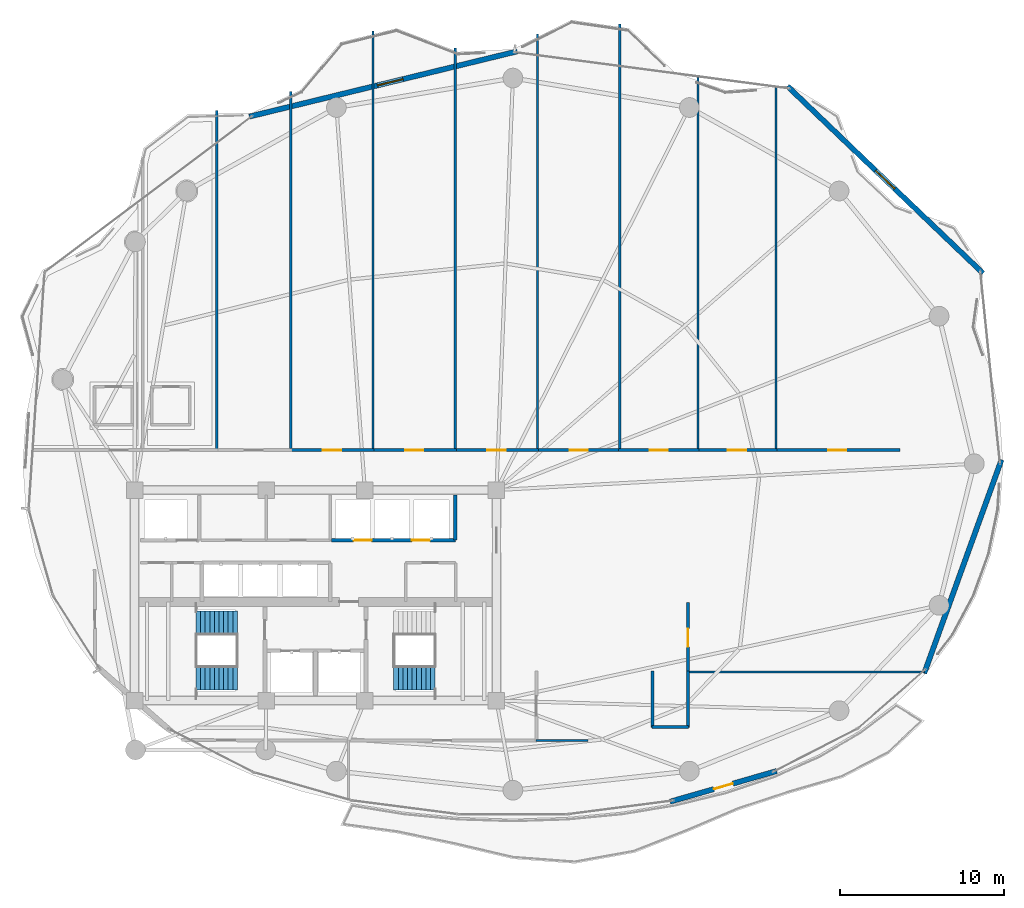
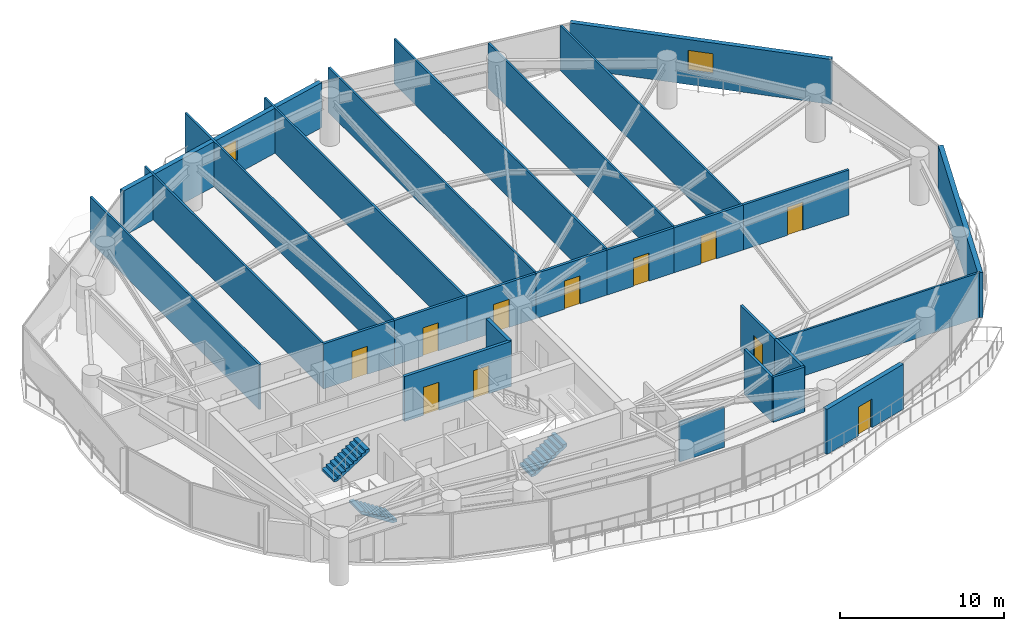
# One storey, part 26 of 30: 27 walls, 11 doors, 3 stair flights, 2 windows, 13 openings, 2 elements without a shape of their own.
"""IFC4 building model written with IfcOpenShell, lengths in metres."""

from ifc_helpers import new_model, si_unit, direction, frame, frame_2d, origin, place, context, subcontext, project, spatial, polyline, rectangle, outline, extrude, material, layer, layer_set, type_object, element, fill, aggregate, save


model = new_model("IFC4")

# Units and contexts
model_context = context("Model", 3, precision=1e-05, world=origin(), true_north=direction((0.0, 1.0)))
body_context = subcontext(model_context, "Body", "Model", "MODEL_VIEW")
ifc_project = project(units=[si_unit("LENGTHUNIT", "METRE"), si_unit("AREAUNIT", "SQUARE_METRE"), si_unit("VOLUMEUNIT", "CUBIC_METRE"), si_unit("PLANEANGLEUNIT", "RADIAN"), si_unit("MASSUNIT", "GRAM", prefix="KILO")], contexts=[model_context])

# Site, building, storey
site_placement = place(None, origin())
site = spatial("IfcSite", under=ifc_project, at=site_placement, CompositionType="ELEMENT")
building_placement = place(site_placement, origin())
building = spatial("IfcBuilding", under=site, at=building_placement, Name="Kazevale Care Tower and Concert Hall", CompositionType="ELEMENT")
storey_placement = place(building_placement, frame((0.0, 0.0, 127.800048828125)))
storey = spatial("IfcBuildingStorey", under=building, at=storey_placement, Name="L33", CompositionType="ELEMENT", Elevation=127.800048828125)

# Walls
ifc_material_1 = material(Name="Acoustic Gypsum on Steel Stud", Category="steel")
ifc_layer_1 = layer(ifc_material_1, 0.139892578125)
ifc_layer_set_1 = layer_set([ifc_layer_1], Name="Acoustic Gypsum on Steel Stud")
wall_type_1 = type_object("IfcWallType", Name="Acoustic Care & Suite Partition 140", PredefinedType="PARTITIONING", material=ifc_layer_set_1)
wall_1_placement = place(storey_placement, frame((27.0, 59.47705078125, 0.0), z_axis=(0.0, 0.0, 1.0), x_axis=(0.0, -1.0, 0.0)))
element("IfcWall", 1, at=wall_1_placement, inside=storey, type_object=wall_type_1, Name="wall:L33:auto_020", PredefinedType="PARTITIONING", context=body_context, shape_type="SweptSolid", body=[
    extrude(rectangle(XDim=20.68212890625, YDim=0.139892578125, at=frame_2d((10.341064453125, 0.0))), origin(), (0.0, 0.0, 1.0), 3.35986328125),
])
wall_2_placement = place(storey_placement, frame((31.5, 60.618896484375, 0.0), z_axis=(0.0, 0.0, 1.0), x_axis=(0.0, -1.0, 0.0)))
element("IfcWall", 2, at=wall_2_placement, inside=storey, type_object=wall_type_1, Name="wall:L33:auto_021", PredefinedType="PARTITIONING", context=body_context, shape_type="SweptSolid", body=[
    extrude(rectangle(XDim=21.823974609375, YDim=0.139892578125, at=frame_2d((10.912109375, 0.0))), origin(), (0.0, 0.0, 1.0), 3.35986328125),
])
wall_3_placement = place(storey_placement, frame((36.5, 64.31005859375, 0.0), z_axis=(0.0, 0.0, 1.0), x_axis=(0.0, -1.0, 0.0)))
element("IfcWall", 3, at=wall_3_placement, inside=storey, type_object=wall_type_1, Name="wall:L33:auto_022", PredefinedType="PARTITIONING", context=body_context, shape_type="SweptSolid", body=[
    extrude(rectangle(XDim=25.51513671875, YDim=0.139892578125, at=frame_2d((12.757568359375, 0.0))), origin(), (0.0, 0.0, 1.0), 3.35986328125),
])
wall_4_placement = place(storey_placement, frame((41.5, 63.291015625, 0.0), z_axis=(0.0, 0.0, 1.0), x_axis=(0.0, -1.0, 0.0)))
element("IfcWall", 4, at=wall_4_placement, inside=storey, type_object=wall_type_1, Name="wall:L33:auto_023", PredefinedType="PARTITIONING", context=body_context, shape_type="SweptSolid", body=[
    extrude(rectangle(XDim=24.49609375, YDim=0.139892578125, at=frame_2d((12.248046875, 0.0))), origin(), (0.0, 0.0, 1.0), 3.35986328125),
])
wall_5_placement = place(storey_placement, frame((46.5, 64.12890625, 0.0), z_axis=(0.0, 0.0, 1.0), x_axis=(0.0, -1.0, 0.0)))
element("IfcWall", 5, at=wall_5_placement, inside=storey, type_object=wall_type_1, Name="wall:L33:auto_024", PredefinedType="PARTITIONING", context=body_context, shape_type="SweptSolid", body=[
    extrude(rectangle(XDim=25.333984375, YDim=0.139892578125, at=frame_2d((12.6669921875, 0.0))), origin(), (0.0, 0.0, 1.0), 3.35986328125),
])
wall_6_placement = place(storey_placement, frame((51.5, 64.75, 0.0), z_axis=(0.0, 0.0, 1.0), x_axis=(0.0, -1.0, 0.0)))
element("IfcWall", 6, at=wall_6_placement, inside=storey, type_object=wall_type_1, Name="wall:L33:auto_025", PredefinedType="PARTITIONING", context=body_context, shape_type="SweptSolid", body=[
    extrude(rectangle(XDim=25.955078125, YDim=0.139892578125, at=frame_2d((12.9775390625, 0.0))), origin(), (0.0, 0.0, 1.0), 3.35986328125),
])
wall_7_placement = place(storey_placement, frame((56.25, 61.48193359375, 0.0), z_axis=(0.0, 0.0, 1.0), x_axis=(0.0, -1.0, 0.0)))
element("IfcWall", 7, at=wall_7_placement, inside=storey, type_object=wall_type_1, Name="wall:L33:auto_026", PredefinedType="PARTITIONING", context=body_context, shape_type="SweptSolid", body=[
    extrude(rectangle(XDim=22.68701171875, YDim=0.139892578125, at=frame_2d((11.343505859375, 0.0))), origin(), (0.0, 0.0, 1.0), 3.35986328125),
])
wall_8_placement = place(storey_placement, frame((61.0, 60.906982421875, 0.0), z_axis=(0.0, 0.0, 1.0), x_axis=(0.0, -1.0, 0.0)))
element("IfcWall", 8, at=wall_8_placement, inside=storey, type_object=wall_type_1, Name="wall:L33:auto_027", PredefinedType="PARTITIONING", context=body_context, shape_type="SweptSolid", body=[
    extrude(rectangle(XDim=22.112060546875, YDim=0.139892578125, at=frame_2d((11.05615234375, 0.0))), origin(), (0.0, 0.0, 1.0), 3.35986328125),
])
wall_9_placement = place(storey_placement, frame((55.6201171875, 25.340087890625, 0.0), z_axis=(0.0, 0.0, 1.0), x_axis=(1.0, 0.0, 0.0)))
element("IfcWall", 9, at=wall_9_placement, inside=storey, type_object=wall_type_1, Name="wall:L33:auto_028", PredefinedType="PARTITIONING", context=body_context, shape_type="SweptSolid", body=[
    extrude(rectangle(XDim=14.407470703125, YDim=0.139892578125, at=frame_2d((7.20361328125, 0.0))), origin(), (0.0, 0.0, 1.0), 3.35986328125),
])
wall_10_placement = place(storey_placement, frame((49.56494140625, 21.175048828125, 0.0), z_axis=(0.0, 0.0, 1.0), x_axis=(-1.0, 0.0, 0.0)))
element("IfcWall", 10, at=wall_10_placement, inside=storey, type_object=wall_type_1, Name="wall:L33:auto_029", PredefinedType="PARTITIONING", context=body_context, shape_type="SweptSolid", body=[
    extrude(rectangle(XDim=3.169921875, YDim=0.139892578125, at=frame_2d((1.5849609375, 0.0))), origin(), (0.0, 0.0, 1.0), 2.995849609375),
])

# Wall, openings, doors
ifc_material_2 = material(Name="Concrete C40", Category="concrete")
ifc_layer_2 = layer(ifc_material_2, 0.219970703125)
ifc_layer_set_2 = layer_set([ifc_layer_2], Name="Concrete C40")
wall_type_2 = type_object("IfcWallType", Name="Elevator Hoistway Shaft Wall 220", PredefinedType="SOLIDWALL", material=ifc_layer_set_2)
wall_11_placement = place(storey_placement, frame((33.97998046875, 33.35009765625, 0.0), z_axis=(0.0, 0.0, 1.0), x_axis=(1.0, 0.0, 0.0)))
wall_11 = element("IfcWall", 11, at=wall_11_placement, inside=storey, type_object=wall_type_2, Name="wall:L33:c_pm_s", PredefinedType="SOLIDWALL", context=body_context, shape_type="SweptSolid", body=[
    extrude(rectangle(XDim=7.5400390625, YDim=0.219970703125, at=frame_2d((3.77001953125, 0.0))), origin(), (0.0, 0.0, 1.0), 3.35986328125),
])
opening_1_placement = place(wall_11_placement, frame((1.3349609375, 0.0, 0.0)))
opening_1 = element("IfcOpeningElement", 12, at=opening_1_placement, cuts=wall_11, Name="Opening LD-PAX", PredefinedType="OPENING", context=body_context, shape_type="SweptSolid", body=[
    extrude(rectangle(XDim=1.10009765625, YDim=2.10009765625, at=frame_2d((0.550048828125, 1.050048828125))), frame((0.0, 0.119873046875, 0.0), z_axis=(0.0, -1.0, 0.0), x_axis=(1.0, 0.0, 0.0)), (0.0, 0.0, 1.0), 0.239990234375),
])
opening_2_placement = place(wall_11_placement, frame((4.87890625, 0.0, 0.0)))
opening_2 = element("IfcOpeningElement", 13, at=opening_2_placement, cuts=wall_11, Name="Opening LD-PAX", PredefinedType="OPENING", context=body_context, shape_type="SweptSolid", body=[
    extrude(rectangle(XDim=1.10009765625, YDim=2.10009765625, at=frame_2d((0.550048828125, 1.050048828125))), frame((0.0, 0.119873046875, 0.0), z_axis=(0.0, -1.0, 0.0), x_axis=(1.0, 0.0, 0.0)), (0.0, 0.0, 1.0), 0.239990234375),
])
ifc_material_3 = material(Name="Stainless Steel 316", Category="steel")
door_type_1 = type_object("IfcDoorType", Name="Passenger Lift Sliding Landing Door 1100x2100", OperationType="NOTDEFINED", PredefinedType="DOOR", material=ifc_material_3)
door_1_placement = place(opening_1_placement, origin())
door_1 = element("IfcDoor", 14, at=door_1_placement, inside=storey, type_object=door_type_1, Name="door:L33:ld_pm1", OperationType="SLIDING_TO_LEFT", OverallHeight=2.10009765625, OverallWidth=1.10009765625, PredefinedType="DOOR", context=body_context, shape_type="SweptSolid", body=[
    extrude(rectangle(XDim=1.10009765625, YDim=2.10009765625, at=frame_2d((0.550048828125, 1.050048828125))), frame((0.0, 0.02490234375, 0.0), z_axis=(0.0, -1.0, 0.0), x_axis=(1.0, 0.0, 0.0)), (0.0, 0.0, 1.0), 0.050048828125),
])
fill(opening_1, door_1)
door_2_placement = place(opening_2_placement, origin())
door_2 = element("IfcDoor", 15, at=door_2_placement, inside=storey, type_object=door_type_1, Name="door:L33:ld_pm2", OperationType="SLIDING_TO_RIGHT", OverallHeight=2.10009765625, OverallWidth=1.10009765625, PredefinedType="DOOR", context=body_context, shape_type="SweptSolid", body=[
    extrude(rectangle(XDim=1.10009765625, YDim=2.10009765625, at=frame_2d((0.550048828125, 1.050048828125))), frame((0.0, 0.02490234375, 0.0), z_axis=(0.0, -1.0, 0.0), x_axis=(1.0, 0.0, 0.0)), (0.0, 0.0, 1.0), 0.050048828125),
])
fill(opening_2, door_2)

# Wall
wall_12_placement = place(storey_placement, frame((41.5, 33.35009765625, 0.0), z_axis=(0.0, 0.0, 1.0), x_axis=(0.0, 1.0, 0.0)))
element("IfcWall", 16, at=wall_12_placement, inside=storey, type_object=wall_type_2, Name="wall:L33:c_pm_e", PredefinedType="SOLIDWALL", context=body_context, shape_type="SweptSolid", body=[
    extrude(rectangle(XDim=2.75, YDim=0.219970703125, at=frame_2d((1.375, 0.0))), origin(), (0.0, 0.0, 1.0), 3.35986328125),
])

# Wall, opening, door
ifc_material_4 = material(Name="Concrete C40 and Acoustic Gypsum", Category="concrete")
ifc_layer_3 = layer(ifc_material_4, 0.179931640625)
ifc_layer_set_3 = layer_set([ifc_layer_3], Name="Concrete C40 and Acoustic Gypsum")
wall_type_3 = type_object("IfcWallType", Name="Fire-Rated Corridor & Party Wall 180", PredefinedType="PARTITIONING", material=ifc_layer_set_3)
wall_13_placement = place(storey_placement, frame((31.43505859375, 38.824951171875, 0.0), z_axis=(0.0, 0.0, 1.0), x_axis=(1.0, 0.0, 0.0)))
wall_13 = element("IfcWall", 17, at=wall_13_placement, inside=storey, type_object=wall_type_3, Name="wall:L33:auto_004", PredefinedType="PARTITIONING", context=body_context, shape_type="SweptSolid", body=[
    extrude(rectangle(XDim=5.1298828125, YDim=0.179931640625, at=frame_2d((2.56494140625, 0.0))), origin(), (0.0, 0.0, 1.0), 3.35986328125),
])
opening_3_placement = place(wall_13_placement, frame((2.014892578125, 0.0, 0.0)))
opening_3 = element("IfcOpeningElement", 18, at=opening_3_placement, cuts=wall_13, Name="Opening ID-1100", PredefinedType="OPENING", context=body_context, shape_type="SweptSolid", body=[
    extrude(rectangle(XDim=1.10009765625, YDim=2.10009765625, at=frame_2d((0.550048828125, 1.050048828125))), frame((0.0, 0.099853515625, 0.0), z_axis=(0.0, -1.0, 0.0), x_axis=(1.0, 0.0, 0.0)), (0.0, 0.0, 1.0), 0.199951171875),
])
ifc_material_5 = material(Name="Oak Timber Fire Leaf", Category="wood")
door_type_2 = type_object("IfcDoorType", Name="Care Bedroom Accessible Door 1100x2100", OperationType="NOTDEFINED", PredefinedType="DOOR", material=ifc_material_5)
door_3_placement = place(opening_3_placement, origin())
door_3 = element("IfcDoor", 19, at=door_3_placement, inside=storey, type_object=door_type_2, Name="door:L33:ad_004", OperationType="SINGLE_SWING_LEFT", OverallHeight=2.10009765625, OverallWidth=1.10009765625, PredefinedType="DOOR", context=body_context, shape_type="SweptSolid", body=[
    extrude(rectangle(XDim=1.10009765625, YDim=2.10009765625, at=frame_2d((0.550048828125, 1.050048828125))), frame((0.0, 0.02490234375, 0.0), z_axis=(0.0, -1.0, 0.0), x_axis=(1.0, 0.0, 0.0)), (0.0, 0.0, 1.0), 0.050048828125),
])
fill(opening_3, door_3)

wall_14_placement = place(storey_placement, frame((36.43505859375, 38.824951171875, 0.0), z_axis=(0.0, 0.0, 1.0), x_axis=(1.0, 0.0, 0.0)))
wall_14 = element("IfcWall", 20, at=wall_14_placement, inside=storey, type_object=wall_type_3, Name="wall:L33:auto_005", PredefinedType="PARTITIONING", context=body_context, shape_type="SweptSolid", body=[
    extrude(rectangle(XDim=5.1298828125, YDim=0.179931640625, at=frame_2d((2.56494140625, 0.0))), origin(), (0.0, 0.0, 1.0), 3.35986328125),
])
opening_4_placement = place(wall_14_placement, frame((2.014892578125, 0.0, 0.0)))
opening_4 = element("IfcOpeningElement", 21, at=opening_4_placement, cuts=wall_14, Name="Opening ID-1100", PredefinedType="OPENING", context=body_context, shape_type="SweptSolid", body=[
    extrude(rectangle(XDim=1.10009765625, YDim=2.10009765625, at=frame_2d((0.550048828125, 1.050048828125))), frame((0.0, 0.099853515625, 0.0), z_axis=(0.0, -1.0, 0.0), x_axis=(1.0, 0.0, 0.0)), (0.0, 0.0, 1.0), 0.199951171875),
])
door_4_placement = place(opening_4_placement, origin())
door_4 = element("IfcDoor", 22, at=door_4_placement, inside=storey, type_object=door_type_2, Name="door:L33:ad_005", OperationType="SINGLE_SWING_LEFT", OverallHeight=2.10009765625, OverallWidth=1.10009765625, PredefinedType="DOOR", context=body_context, shape_type="SweptSolid", body=[
    extrude(rectangle(XDim=1.10009765625, YDim=2.10009765625, at=frame_2d((0.550048828125, 1.050048828125))), frame((0.0, 0.02490234375, 0.0), z_axis=(0.0, -1.0, 0.0), x_axis=(1.0, 0.0, 0.0)), (0.0, 0.0, 1.0), 0.050048828125),
])
fill(opening_4, door_4)

wall_15_placement = place(storey_placement, frame((41.43505859375, 38.824951171875, 0.0), z_axis=(0.0, 0.0, 1.0), x_axis=(1.0, 0.0, 0.0)))
wall_15 = element("IfcWall", 23, at=wall_15_placement, inside=storey, type_object=wall_type_3, Name="wall:L33:auto_006", PredefinedType="PARTITIONING", context=body_context, shape_type="SweptSolid", body=[
    extrude(rectangle(XDim=5.1298828125, YDim=0.179931640625, at=frame_2d((2.56494140625, 0.0))), origin(), (0.0, 0.0, 1.0), 3.35986328125),
])
opening_5_placement = place(wall_15_placement, frame((2.014892578125, 0.0, 0.0)))
opening_5 = element("IfcOpeningElement", 24, at=opening_5_placement, cuts=wall_15, Name="Opening ID-1100", PredefinedType="OPENING", context=body_context, shape_type="SweptSolid", body=[
    extrude(rectangle(XDim=1.10009765625, YDim=2.10009765625, at=frame_2d((0.550048828125, 1.050048828125))), frame((0.0, 0.099853515625, 0.0), z_axis=(0.0, -1.0, 0.0), x_axis=(1.0, 0.0, 0.0)), (0.0, 0.0, 1.0), 0.199951171875),
])
door_5_placement = place(opening_5_placement, origin())
door_5 = element("IfcDoor", 25, at=door_5_placement, inside=storey, type_object=door_type_2, Name="door:L33:ad_006", OperationType="SINGLE_SWING_LEFT", OverallHeight=2.10009765625, OverallWidth=1.10009765625, PredefinedType="DOOR", context=body_context, shape_type="SweptSolid", body=[
    extrude(rectangle(XDim=1.10009765625, YDim=2.10009765625, at=frame_2d((0.550048828125, 1.050048828125))), frame((0.0, 0.02490234375, 0.0), z_axis=(0.0, -1.0, 0.0), x_axis=(1.0, 0.0, 0.0)), (0.0, 0.0, 1.0), 0.050048828125),
])
fill(opening_5, door_5)

wall_16_placement = place(storey_placement, frame((46.43505859375, 38.824951171875, 0.0), z_axis=(0.0, 0.0, 1.0), x_axis=(1.0, 0.0, 0.0)))
wall_16 = element("IfcWall", 26, at=wall_16_placement, inside=storey, type_object=wall_type_3, Name="wall:L33:auto_007", PredefinedType="PARTITIONING", context=body_context, shape_type="SweptSolid", body=[
    extrude(rectangle(XDim=5.1298828125, YDim=0.179931640625, at=frame_2d((2.56494140625, 0.0))), origin(), (0.0, 0.0, 1.0), 3.35986328125),
])
opening_6_placement = place(wall_16_placement, frame((2.014892578125, 0.0, 0.0)))
opening_6 = element("IfcOpeningElement", 27, at=opening_6_placement, cuts=wall_16, Name="Opening ID-1100", PredefinedType="OPENING", context=body_context, shape_type="SweptSolid", body=[
    extrude(rectangle(XDim=1.10009765625, YDim=2.10009765625, at=frame_2d((0.550048828125, 1.050048828125))), frame((0.0, 0.099853515625, 0.0), z_axis=(0.0, -1.0, 0.0), x_axis=(1.0, 0.0, 0.0)), (0.0, 0.0, 1.0), 0.199951171875),
])
door_6_placement = place(opening_6_placement, origin())
door_6 = element("IfcDoor", 28, at=door_6_placement, inside=storey, type_object=door_type_2, Name="door:L33:ad_007", OperationType="SINGLE_SWING_LEFT", OverallHeight=2.10009765625, OverallWidth=1.10009765625, PredefinedType="DOOR", context=body_context, shape_type="SweptSolid", body=[
    extrude(rectangle(XDim=1.10009765625, YDim=2.10009765625, at=frame_2d((0.550048828125, 1.050048828125))), frame((0.0, 0.02490234375, 0.0), z_axis=(0.0, -1.0, 0.0), x_axis=(1.0, 0.0, 0.0)), (0.0, 0.0, 1.0), 0.050048828125),
])
fill(opening_6, door_6)

wall_17_placement = place(storey_placement, frame((51.43505859375, 38.824951171875, 0.0), z_axis=(0.0, 0.0, 1.0), x_axis=(1.0, 0.0, 0.0)))
wall_17 = element("IfcWall", 29, at=wall_17_placement, inside=storey, type_object=wall_type_3, Name="wall:L33:auto_008", PredefinedType="PARTITIONING", context=body_context, shape_type="SweptSolid", body=[
    extrude(rectangle(XDim=4.8798828125, YDim=0.179931640625, at=frame_2d((2.43994140625, 0.0))), origin(), (0.0, 0.0, 1.0), 3.35986328125),
])
opening_7_placement = place(wall_17_placement, frame((1.889892578125, 0.0, 0.0)))
opening_7 = element("IfcOpeningElement", 30, at=opening_7_placement, cuts=wall_17, Name="Opening ID-1100", PredefinedType="OPENING", context=body_context, shape_type="SweptSolid", body=[
    extrude(rectangle(XDim=1.10009765625, YDim=2.10009765625, at=frame_2d((0.550048828125, 1.050048828125))), frame((0.0, 0.099853515625, 0.0), z_axis=(0.0, -1.0, 0.0), x_axis=(1.0, 0.0, 0.0)), (0.0, 0.0, 1.0), 0.199951171875),
])
door_7_placement = place(opening_7_placement, origin())
door_7 = element("IfcDoor", 31, at=door_7_placement, inside=storey, type_object=door_type_2, Name="door:L33:ad_008", OperationType="SINGLE_SWING_LEFT", OverallHeight=2.10009765625, OverallWidth=1.10009765625, PredefinedType="DOOR", context=body_context, shape_type="SweptSolid", body=[
    extrude(rectangle(XDim=1.10009765625, YDim=2.10009765625, at=frame_2d((0.550048828125, 1.050048828125))), frame((0.0, 0.02490234375, 0.0), z_axis=(0.0, -1.0, 0.0), x_axis=(1.0, 0.0, 0.0)), (0.0, 0.0, 1.0), 0.050048828125),
])
fill(opening_7, door_7)

wall_18_placement = place(storey_placement, frame((56.18505859375, 38.824951171875, 0.0), z_axis=(0.0, 0.0, 1.0), x_axis=(1.0, 0.0, 0.0)))
wall_18 = element("IfcWall", 32, at=wall_18_placement, inside=storey, type_object=wall_type_3, Name="wall:L33:auto_009", PredefinedType="PARTITIONING", context=body_context, shape_type="SweptSolid", body=[
    extrude(rectangle(XDim=4.8798828125, YDim=0.179931640625, at=frame_2d((2.43994140625, 0.0))), origin(), (0.0, 0.0, 1.0), 3.35986328125),
])
opening_8_placement = place(wall_18_placement, frame((1.889892578125, 0.0, 0.0)))
opening_8 = element("IfcOpeningElement", 33, at=opening_8_placement, cuts=wall_18, Name="Opening ID-1100", PredefinedType="OPENING", context=body_context, shape_type="SweptSolid", body=[
    extrude(rectangle(XDim=1.10009765625, YDim=2.10009765625, at=frame_2d((0.550048828125, 1.050048828125))), frame((0.0, 0.099853515625, 0.0), z_axis=(0.0, -1.0, 0.0), x_axis=(1.0, 0.0, 0.0)), (0.0, 0.0, 1.0), 0.199951171875),
])
door_8_placement = place(opening_8_placement, origin())
door_8 = element("IfcDoor", 34, at=door_8_placement, inside=storey, type_object=door_type_2, Name="door:L33:ad_009", OperationType="SINGLE_SWING_LEFT", OverallHeight=2.10009765625, OverallWidth=1.10009765625, PredefinedType="DOOR", context=body_context, shape_type="SweptSolid", body=[
    extrude(rectangle(XDim=1.10009765625, YDim=2.10009765625, at=frame_2d((0.550048828125, 1.050048828125))), frame((0.0, 0.02490234375, 0.0), z_axis=(0.0, -1.0, 0.0), x_axis=(1.0, 0.0, 0.0)), (0.0, 0.0, 1.0), 0.050048828125),
])
fill(opening_8, door_8)

wall_19_placement = place(storey_placement, frame((60.93505859375, 38.824951171875, 0.0), z_axis=(0.0, 0.0, 1.0), x_axis=(1.0, 0.0, 0.0)))
wall_19 = element("IfcWall", 35, at=wall_19_placement, inside=storey, type_object=wall_type_3, Name="wall:L33:auto_010", PredefinedType="PARTITIONING", context=body_context, shape_type="SweptSolid", body=[
    extrude(rectangle(XDim=7.594970703125, YDim=0.179931640625, at=frame_2d((3.79736328125, 0.0))), origin(), (0.0, 0.0, 1.0), 3.35986328125),
])
opening_9_placement = place(wall_19_placement, frame((3.2470703125, 0.0, 0.0)))
opening_9 = element("IfcOpeningElement", 36, at=opening_9_placement, cuts=wall_19, Name="Opening ID-1100", PredefinedType="OPENING", context=body_context, shape_type="SweptSolid", body=[
    extrude(rectangle(XDim=1.10009765625, YDim=2.10009765625, at=frame_2d((0.550048828125, 1.050048828125))), frame((0.0, 0.099853515625, 0.0), z_axis=(0.0, -1.0, 0.0), x_axis=(1.0, 0.0, 0.0)), (0.0, 0.0, 1.0), 0.199951171875),
])
door_9_placement = place(opening_9_placement, origin())
door_9 = element("IfcDoor", 37, at=door_9_placement, inside=storey, type_object=door_type_2, Name="door:L33:ad_010", OperationType="SINGLE_SWING_LEFT", OverallHeight=2.10009765625, OverallWidth=1.10009765625, PredefinedType="DOOR", context=body_context, shape_type="SweptSolid", body=[
    extrude(rectangle(XDim=1.10009765625, YDim=2.10009765625, at=frame_2d((0.550048828125, 1.050048828125))), frame((0.0, 0.02490234375, 0.0), z_axis=(0.0, -1.0, 0.0), x_axis=(1.0, 0.0, 0.0)), (0.0, 0.0, 1.0), 0.050048828125),
])
fill(opening_9, door_9)

# Walls
for number, where, z_axis, x_axis, name in (
    (38, (55.64990234375, 25.405029296875, 0.0), (0.0, 0.0, 1.0), (0.0, -1.0, 0.0), "wall:L33:auto_012"),
    (39, (53.5, 21.969970703125, 0.0), (0.0, 0.0, 1.0), (0.0, 1.0, 0.0), "wall:L33:auto_013"),
):
    element("IfcWall", number, at=place(storey_placement, frame(where, z_axis=z_axis, x_axis=x_axis)), inside=storey, type_object=wall_type_3, Name=name, PredefinedType="PARTITIONING", context=body_context, shape_type="SweptSolid", body=[
        extrude(rectangle(XDim=3.43505859375, YDim=0.179931640625, at=frame_2d((1.717529296875, 0.0))), origin(), (0.0, 0.0, 1.0), 3.35986328125),
    ])
wall_20_placement = place(storey_placement, frame((55.679931640625, 22.0, 0.0), z_axis=(0.0, 0.0, 1.0), x_axis=(-1.0, 0.0, 0.0)))
element("IfcWall", 40, at=wall_20_placement, inside=storey, type_object=wall_type_3, Name="wall:L33:auto_014", PredefinedType="PARTITIONING", context=body_context, shape_type="SweptSolid", body=[
    extrude(rectangle(XDim=2.2099609375, YDim=0.179931640625, at=frame_2d((1.10498046875, 0.0))), origin(), (0.0, 0.0, 1.0), 3.35986328125),
])

# Wall, opening, door
wall_21_placement = place(storey_placement, frame((55.64990234375, 29.56494140625, 0.0), z_axis=(0.0, 0.0, 1.0), x_axis=(0.0, -1.0, 0.0)))
wall_21 = element("IfcWall", 41, at=wall_21_placement, inside=storey, type_object=wall_type_3, Name="wall:L33:auto_015", PredefinedType="PARTITIONING", context=body_context, shape_type="SweptSolid", body=[
    extrude(rectangle(XDim=4.2900390625, YDim=0.179931640625, at=frame_2d((2.14501953125, 0.0))), origin(), (0.0, 0.0, 1.0), 3.35986328125),
])
opening_10_placement = place(wall_21_placement, frame((1.594970703125, 0.0, 0.0)))
opening_10 = element("IfcOpeningElement", 42, at=opening_10_placement, cuts=wall_21, Name="Opening ID-1100", PredefinedType="OPENING", context=body_context, shape_type="SweptSolid", body=[
    extrude(rectangle(XDim=1.10009765625, YDim=2.10009765625, at=frame_2d((0.550048828125, 1.050048828125))), frame((0.0, 0.099853515625, 0.0), z_axis=(0.0, -1.0, 0.0), x_axis=(1.0, 0.0, 0.0)), (0.0, 0.0, 1.0), 0.199951171875),
])
door_10_placement = place(opening_10_placement, origin())
door_10 = element("IfcDoor", 43, at=door_10_placement, inside=storey, type_object=door_type_2, Name="door:L33:ad_015", OperationType="SINGLE_SWING_LEFT", OverallHeight=2.10009765625, OverallWidth=1.10009765625, PredefinedType="DOOR", context=body_context, shape_type="SweptSolid", body=[
    extrude(rectangle(XDim=1.10009765625, YDim=2.10009765625, at=frame_2d((0.550048828125, 1.050048828125))), frame((0.0, 0.02490234375, 0.0), z_axis=(0.0, -1.0, 0.0), x_axis=(1.0, 0.0, 0.0)), (0.0, 0.0, 1.0), 0.050048828125),
])
fill(opening_10, door_10)

# Wall
ifc_material_6 = material(Name="Concrete C40 with Honed Limestone Cladding", Category="masonry")
ifc_layer_4 = layer(ifc_material_6, 0.320068359375)
ifc_layer_set_4 = layer_set([ifc_layer_4], Name="Concrete C40 with Honed Limestone Cladding")
wall_type_4 = type_object("IfcWallType", Name="Tower Honed Limestone Spandrel Wall 320", PredefinedType="STANDARD", material=ifc_layer_set_4)
wall_22_placement = place(storey_placement, frame((74.7080078125, 38.243896484375, 0.0), z_axis=(0.0, 0.0, 1.0), x_axis=(-0.340324669139, -0.94030799187, 0.0)))
element("IfcWall", 44, at=wall_22_placement, inside=storey, type_object=wall_type_4, Name="wall:cw:L33:f01", PredefinedType="STANDARD", context=body_context, shape_type="SweptSolid", body=[
    extrude(rectangle(XDim=13.810302734375, YDim=0.320068359375, at=frame_2d((6.9052734375, 0.0))), origin(), (0.0, 0.0, 1.0), 3.35986328125),
])

# Wall, opening, door
wall_23_placement = place(storey_placement, frame((61.0390625, 19.31689453125, 0.0), z_axis=(0.0, 0.0, 1.0), x_axis=(-0.96106509915, -0.276322049784, 0.0)))
wall_23 = element("IfcWall", 45, at=wall_23_placement, inside=storey, type_object=wall_type_4, Name="wall:L33:bal_host", PredefinedType="STANDARD", context=body_context, shape_type="SweptSolid", body=[
    extrude(rectangle(XDim=6.745849609375, YDim=0.320068359375, at=frame_2d((3.373046875, 0.0))), origin(), (0.0, 0.0, 1.0), 3.35986328125),
])
opening_11_placement = place(wall_23_placement, frame((2.77294921875, 0.0, 0.0)))
opening_11 = element("IfcOpeningElement", 46, at=opening_11_placement, cuts=wall_23, Name="Opening BD-1200", PredefinedType="OPENING", context=body_context, shape_type="SweptSolid", body=[
    extrude(rectangle(XDim=1.199951171875, YDim=2.14990234375, at=frame_2d((0.60009765625, 1.074951171875))), frame((0.0, 0.169921875, 0.0), z_axis=(0.0, -1.0, 0.0), x_axis=(1.0, 0.0, 0.0)), (0.0, 0.0, 1.0), 0.340087890625),
])
ifc_material_7 = material(Name="Aluminium 6063-T6 and Low-E Glass", Category="aluminium")
door_type_3 = type_object("IfcDoorType", Name="Sheltered Balcony Glazed Door 1200x2150", OperationType="NOTDEFINED", PredefinedType="DOOR", material=ifc_material_7)
door_11_placement = place(opening_11_placement, origin())
door_11 = element("IfcDoor", 47, at=door_11_placement, inside=storey, type_object=door_type_3, Name="door:L33:BD-1", OperationType="SINGLE_SWING_LEFT", OverallHeight=2.14990234375, OverallWidth=1.199951171875, PredefinedType="DOOR", context=body_context, shape_type="SweptSolid", body=[
    extrude(rectangle(XDim=1.199951171875, YDim=2.14990234375, at=frame_2d((0.60009765625, 1.074951171875))), frame((0.0, 0.02490234375, 0.0), z_axis=(0.0, -1.0, 0.0), x_axis=(1.0, 0.0, 0.0)), (0.0, 0.0, 1.0), 0.050048828125),
])
fill(opening_11, door_11)

# Wall, opening, window
wall_24_placement = place(storey_placement, frame((28.97412109375, 59.10693359375, 0.0), z_axis=(0.0, 0.0, 1.0), x_axis=(0.971593971582, 0.236654081699, 0.0)))
wall_24 = element("IfcWall", 48, at=wall_24_placement, inside=storey, type_object=wall_type_4, Name="wall:L33:cbox:15", PredefinedType="STANDARD", context=body_context, shape_type="SweptSolid", body=[
    extrude(rectangle(XDim=16.762939453125, YDim=0.320068359375, at=frame_2d((8.38134765625, 0.0))), origin(), (0.0, 0.0, 1.0), 3.35986328125),
])
opening_12_placement = place(wall_24_placement, frame((8.02099609375, 0.0, 1.050048828125)))
opening_12 = element("IfcOpeningElement", 49, at=opening_12_placement, cuts=wall_24, Name="Opening WIN-1", PredefinedType="OPENING", context=body_context, shape_type="SweptSolid", body=[
    extrude(rectangle(XDim=1.60009765625, YDim=1.5, at=frame_2d((0.800048828125, 0.75))), frame((0.0, 0.169921875, 0.0), z_axis=(0.0, -1.0, 0.0), x_axis=(1.0, 0.0, 0.0)), (0.0, 0.0, 1.0), 0.340087890625),
])
ifc_material_8 = material(Name="Low-E Laminated Glass", Category="glass")
window_type = type_object("IfcWindowType", Name="Convex Box Deep-Set Window 1600x1500", PartitioningType="DOUBLE_PANEL_VERTICAL", PredefinedType="WINDOW", material=ifc_material_8)
window_1_placement = place(opening_12_placement, origin())
window_1 = element("IfcWindow", 50, at=window_1_placement, inside=storey, type_object=window_type, Name="win:L33:cbox:15", OverallHeight=1.5, OverallWidth=1.60009765625, PartitioningType="SINGLE_PANEL", PredefinedType="WINDOW", context=body_context, shape_type="SweptSolid", body=[
    extrude(rectangle(XDim=1.60009765625, YDim=1.5, at=frame_2d((0.800048828125, 0.75))), frame((0.0, 0.030029296875, 0.0), z_axis=(0.0, -1.0, 0.0), x_axis=(1.0, 0.0, 0.0)), (0.0, 0.0, 1.0), 0.06005859375),
])
fill(opening_12, window_1)

wall_25_placement = place(storey_placement, frame((61.68896484375, 60.95703125, 0.0), z_axis=(0.0, 0.0, 1.0), x_axis=(0.722641212534, -0.691223319881, 0.0)))
wall_25 = element("IfcWall", 51, at=wall_25_placement, inside=storey, type_object=wall_type_4, Name="wall:L33:cbox:17", PredefinedType="STANDARD", context=body_context, shape_type="SweptSolid", body=[
    extrude(rectangle(XDim=16.45068359375, YDim=0.320068359375, at=frame_2d((8.225341796875, 0.0))), origin(), (0.0, 0.0, 1.0), 3.35986328125),
])
opening_13_placement = place(wall_25_placement, frame((7.425048828125, 0.0, 1.050048828125)))
opening_13 = element("IfcOpeningElement", 52, at=opening_13_placement, cuts=wall_25, Name="Opening WIN-1", PredefinedType="OPENING", context=body_context, shape_type="SweptSolid", body=[
    extrude(rectangle(XDim=1.60009765625, YDim=1.5, at=frame_2d((0.800048828125, 0.75))), frame((0.0, 0.169921875, 0.0), z_axis=(0.0, -1.0, 0.0), x_axis=(1.0, 0.0, 0.0)), (0.0, 0.0, 1.0), 0.340087890625),
])
window_2_placement = place(opening_13_placement, origin())
window_2 = element("IfcWindow", 53, at=window_2_placement, inside=storey, type_object=window_type, Name="win:L33:cbox:17", OverallHeight=1.5, OverallWidth=1.60009765625, PartitioningType="SINGLE_PANEL", PredefinedType="WINDOW", context=body_context, shape_type="SweptSolid", body=[
    extrude(rectangle(XDim=1.60009765625, YDim=1.5, at=frame_2d((0.800048828125, 0.75))), frame((0.0, 0.030029296875, 0.0), z_axis=(0.0, -1.0, 0.0), x_axis=(1.0, 0.0, 0.0)), (0.0, 0.0, 1.0), 0.06005859375),
])
fill(opening_13, window_2)

# Stair, stair flights
stair_type = type_object("IfcStairType", Name="Exit Stair Assembly ST1-Z2", PredefinedType="HALF_TURN_STAIR", material=ifc_material_2)
stair_1_placement = place(storey_placement, origin())
stair_1 = element("IfcStair", 54, at=stair_1_placement, inside=storey, type_object=stair_type, Name="stair:L33:ST1", PredefinedType="HALF_TURN_STAIR")
ifc_layer_5 = layer(ifc_material_2, 0.159912109375)
ifc_layer_set_5 = layer_set([ifc_layer_5], Name="Concrete C40")
stair_flight_type = type_object("IfcStairFlightType", Name="Exit Stair Flight ST1-Z2", PredefinedType="STRAIGHT", material=ifc_layer_set_5)
stair_flight_1_placement = place(storey_placement, frame((28.25, 24.97998046875, 0.0), z_axis=(0.0, 0.0, 1.0), x_axis=(-1.0, 0.0, 0.0)))
stair_flight_1 = element("IfcStairFlight", 55, at=stair_flight_1_placement, type_object=stair_flight_type, Name="ST1-Z2 flight 1", NumberOfRisers=10, NumberOfTreads=9, PredefinedType="STRAIGHT", RiserHeight=0.18, TreadLength=0.28, context=body_context, shape_type="SweptSolid", body=[
    extrude(outline(polyline([(0.0, 0.0), (0.0, 0.179931640625), (0.280029296875, 0.179931640625), (0.280029296875, 0.360107421875), (0.56005859375, 0.360107421875), (0.56005859375, 0.5400390625), (0.840087890625, 0.5400390625), (0.840087890625, 0.719970703125), (1.1201171875, 0.719970703125), (1.1201171875, 0.89990234375), (1.39990234375, 0.89990234375), (1.39990234375, 1.080078125), (1.679931640625, 1.080078125), (1.679931640625, 1.260009765625), (1.9599609375, 1.260009765625), (1.9599609375, 1.43994140625), (2.239990234375, 1.43994140625), (2.239990234375, 1.6201171875), (2.52001953125, 1.6201171875), (2.52001953125, 1.800048828125), (2.52001953125, 1.429931640625), (0.295654296875, 0.0), (0.0, 0.0)])), frame((0.0, 0.72998046875, 0.0), z_axis=(0.0, -1.0, 0.0), x_axis=(1.0, 0.0, 0.0)), (0.0, 0.0, 1.0), 1.4599609375),
])
stair_flight_2_placement = place(storey_placement, frame((25.72998046875, 28.320068359375, 1.800048828125), z_axis=(0.0, 0.0, 1.0), x_axis=(1.0, 0.0, 0.0)))
stair_flight_2 = element("IfcStairFlight", 56, at=stair_flight_2_placement, type_object=stair_flight_type, Name="ST1-Z2 flight 2", NumberOfRisers=10, NumberOfTreads=9, PredefinedType="STRAIGHT", RiserHeight=0.18, TreadLength=0.28, context=body_context, shape_type="SweptSolid", body=[
    extrude(outline(polyline([(0.0, 0.0), (0.0, 0.179931640625), (0.280029296875, 0.179931640625), (0.280029296875, 0.360107421875), (0.56005859375, 0.360107421875), (0.56005859375, 0.5400390625), (0.840087890625, 0.5400390625), (0.840087890625, 0.719970703125), (1.1201171875, 0.719970703125), (1.1201171875, 0.89990234375), (1.39990234375, 0.89990234375), (1.39990234375, 1.080078125), (1.679931640625, 1.080078125), (1.679931640625, 1.260009765625), (1.9599609375, 1.260009765625), (1.9599609375, 1.43994140625), (2.239990234375, 1.43994140625), (2.239990234375, 1.6201171875), (2.52001953125, 1.6201171875), (2.52001953125, 1.800048828125), (2.52001953125, 1.429931640625), (0.295654296875, 0.0), (0.0, 0.0)])), frame((0.0, 0.72998046875, 0.0), z_axis=(0.0, -1.0, 0.0), x_axis=(1.0, 0.0, 0.0)), (0.0, 0.0, 1.0), 1.4599609375),
])
aggregate(stair_1, [stair_flight_1, stair_flight_2])

# Stair, stair flight
stair_2_placement = place(storey_placement, origin())
stair_2 = element("IfcStair", 57, at=stair_2_placement, inside=storey, type_object=stair_type, Name="stair:L33:ST2", PredefinedType="HALF_TURN_STAIR")
stair_flight_3_placement = place(storey_placement, frame((37.75, 24.97998046875, 0.0), z_axis=(0.0, 0.0, 1.0), x_axis=(1.0, 0.0, 0.0)))
stair_flight_3 = element("IfcStairFlight", 58, at=stair_flight_3_placement, type_object=stair_flight_type, Name="ST1-Z2 flight 1", NumberOfRisers=10, NumberOfTreads=9, PredefinedType="STRAIGHT", RiserHeight=0.18, TreadLength=0.28, context=body_context, shape_type="SweptSolid", body=[
    extrude(outline(polyline([(0.0, 0.0), (0.0, 0.179931640625), (0.280029296875, 0.179931640625), (0.280029296875, 0.360107421875), (0.56005859375, 0.360107421875), (0.56005859375, 0.5400390625), (0.840087890625, 0.5400390625), (0.840087890625, 0.719970703125), (1.1201171875, 0.719970703125), (1.1201171875, 0.89990234375), (1.39990234375, 0.89990234375), (1.39990234375, 1.080078125), (1.679931640625, 1.080078125), (1.679931640625, 1.260009765625), (1.9599609375, 1.260009765625), (1.9599609375, 1.43994140625), (2.239990234375, 1.43994140625), (2.239990234375, 1.6201171875), (2.52001953125, 1.6201171875), (2.52001953125, 1.800048828125), (2.52001953125, 1.429931640625), (0.295654296875, 0.0), (0.0, 0.0)])), frame((0.0, 0.72998046875, 0.0), z_axis=(0.0, -1.0, 0.0), x_axis=(1.0, 0.0, 0.0)), (0.0, 0.0, 1.0), 1.4599609375),
])
aggregate(stair_2, [stair_flight_3])

save(model, "model.ifc")
